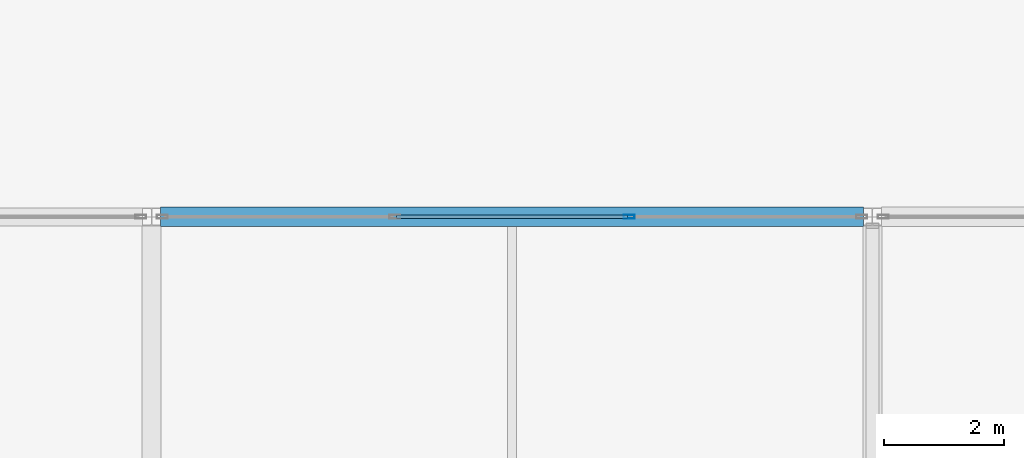
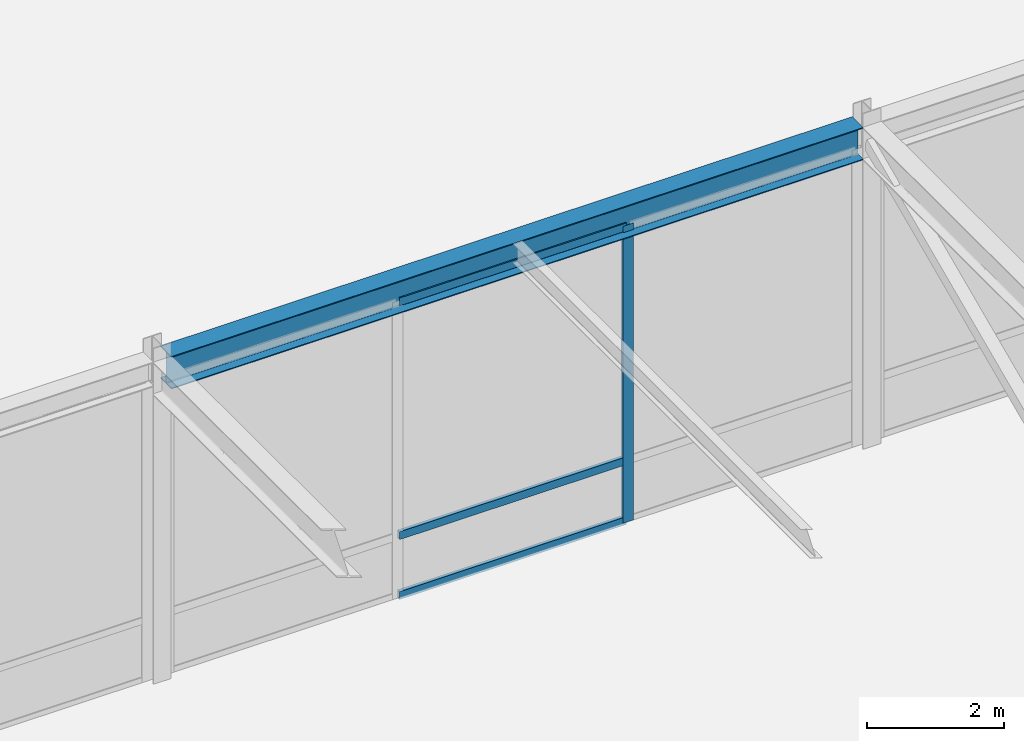
# One storey, part 31 of 108: 4 members, 1 beam, 1 element without a shape of its own.
"""IFC4 building model written with IfcOpenShell, lengths in metres."""

from ifc_helpers import new_model, si_unit, direction, frame, origin, origin_2d, place, context, subcontext, project, spatial, hollow_rectangle, i_section, extrude, material, layer, layer_set, material_profile, profile_set, type_object, element, aggregate, save


model = new_model("IFC4")

# Units and contexts
model_context = context("Model", 3, precision=1e-05, world=origin(), true_north=direction((0.0, 1.0)))
body_context = subcontext(model_context, "Body", "Model", "MODEL_VIEW")
ifc_project = project(units=[si_unit("LENGTHUNIT", "METRE"), si_unit("AREAUNIT", "SQUARE_METRE"), si_unit("VOLUMEUNIT", "CUBIC_METRE"), si_unit("PLANEANGLEUNIT", "RADIAN"), si_unit("MASSUNIT", "GRAM", prefix="KILO")], contexts=[model_context])

# Site, building, storey
site_placement = place(None, origin())
site = spatial("IfcSite", under=ifc_project, at=site_placement, CompositionType="ELEMENT")
building_placement = place(site_placement, origin())
building = spatial("IfcBuilding", under=site, at=building_placement, Name="Zlatovratsky Civic Hall", CompositionType="ELEMENT")
storey_placement = place(building_placement, frame((0.0, 0.0, 6.0)))
storey = spatial("IfcBuildingStorey", under=building, at=storey_placement, Name="L02", CompositionType="ELEMENT", Elevation=6.0)

# Beam
ifc_material_1 = material(Name="Steel S355", Category="steel")
ifc_material_profile_1 = material_profile(ifc_material_1, i_section(OverallWidth=0.320068359375, OverallDepth=0.58203125, WebThickness=0.011962890625, FlangeThickness=0.01708984375, FilletRadius=0.02392578125, at=origin_2d()), Name="60Sh1")
ifc_profile_set_1 = profile_set([ifc_material_profile_1], Name="Steel S355")
beam_type = type_object("IfcBeamType", Name="Beam_PodiumGirder_60Sh1", PredefinedType="BEAM", material=ifc_profile_set_1)
beam_placement = place(storey_placement, frame((24.14990234375, 30.0, 5.468994140625), z_axis=(1.0, 0.0, 0.0), x_axis=(0.0, 1.0, 0.0)))
element("IfcBeam", 1, at=beam_placement, inside=storey, type_object=beam_type, Name="BM-1786", PredefinedType="BEAM", context=body_context, shape_type="SweptSolid", body=[
    extrude(i_section(OverallWidth=0.320068359375, OverallDepth=0.58203125, WebThickness=0.011962890625, FlangeThickness=0.01708984375, FilletRadius=0.02392578125, at=origin_2d()), origin(), (0.0, 0.0, 1.0), 11.7001953125),
])

# Curtain wall, members
ifc_material_2 = material(Name="Anodised bronze aluminium", Category="aluminium")
ifc_layer = layer(ifc_material_2, 0.159912109375)
ifc_layer_set = layer_set([ifc_layer], Name="Anodised bronze aluminium")
curtain_wall_type = type_object("IfcCurtainWallType", Name="CurtainWall_Bronze_11700x5310_05", PredefinedType="NOTDEFINED", material=ifc_layer_set)
curtain_wall_placement = place(storey_placement, origin())
curtain_wall = element("IfcCurtainWall", 2, at=curtain_wall_placement, inside=storey, type_object=curtain_wall_type, Name="CW-010", PredefinedType="NOTDEFINED")
ifc_material_profile_2 = material_profile(ifc_material_2, hollow_rectangle(XDim=0.06005859375, YDim=0.179931640625, WallThickness=0.00390625, at=origin_2d()), Name="ALU 60x180x4")
ifc_profile_set_2 = profile_set([ifc_material_profile_2], Name="Anodised bronze aluminium")
member_type_1 = type_object("IfcMemberType", Name="CW_Mullion_60x180", PredefinedType="MULLION", material=ifc_profile_set_2)
member_1_placement = place(storey_placement, frame((31.949951171875, 30.0, 0.0), z_axis=(0.0, 0.0, 1.0), x_axis=(0.0, 1.0, 0.0)))
member_1 = element("IfcMember", 3, at=member_1_placement, type_object=member_type_1, Name="CW-05 mullion 3", PredefinedType="MULLION", context=body_context, shape_type="SweptSolid", body=[
    extrude(hollow_rectangle(XDim=0.06005859375, YDim=0.179931640625, WallThickness=0.00390625, at=origin_2d()), origin(), (0.0, 0.0, 1.0), 5.31005859375),
])
ifc_material_profile_3 = material_profile(ifc_material_2, hollow_rectangle(XDim=0.06005859375, YDim=0.139892578125, WallThickness=0.00390625, at=origin_2d()), Name="ALU 60x140x4")
ifc_profile_set_3 = profile_set([ifc_material_profile_3], Name="Anodised bronze aluminium")
member_type_2 = type_object("IfcMemberType", Name="CW_Transom_60x140", PredefinedType="USERDEFINED", material=ifc_profile_set_3)
member_2_placement = place(storey_placement, frame((28.080078125, 30.0, 0.030029296875), z_axis=(1.0, 0.0, 0.0), x_axis=(0.0, 1.0, 0.0)))
member_2 = element("IfcMember", 4, at=member_2_placement, type_object=member_type_2, Name="CW-05 transom 2.1", ObjectType="TRANSOM", PredefinedType="USERDEFINED", context=body_context, shape_type="SweptSolid", body=[
    extrude(hollow_rectangle(XDim=0.06005859375, YDim=0.139892578125, WallThickness=0.00390625, at=origin_2d()), origin(), (0.0, 0.0, 1.0), 3.83984375),
])
member_3_placement = place(storey_placement, frame((28.080078125, 30.0, 1.10009765625), z_axis=(1.0, 0.0, 0.0), x_axis=(0.0, 1.0, 0.0)))
member_3 = element("IfcMember", 5, at=member_3_placement, type_object=member_type_2, Name="CW-05 transom 2.2", ObjectType="TRANSOM", PredefinedType="USERDEFINED", context=body_context, shape_type="SweptSolid", body=[
    extrude(hollow_rectangle(XDim=0.06005859375, YDim=0.139892578125, WallThickness=0.00390625, at=origin_2d()), origin(), (0.0, 0.0, 1.0), 3.83984375),
])
member_4_placement = place(storey_placement, frame((28.080078125, 30.0, 5.280029296875), z_axis=(1.0, 0.0, 0.0), x_axis=(0.0, 1.0, 0.0)))
member_4 = element("IfcMember", 6, at=member_4_placement, type_object=member_type_2, Name="CW-05 transom 2.3", ObjectType="TRANSOM", PredefinedType="USERDEFINED", context=body_context, shape_type="SweptSolid", body=[
    extrude(hollow_rectangle(XDim=0.06005859375, YDim=0.139892578125, WallThickness=0.00390625, at=origin_2d()), origin(), (0.0, 0.0, 1.0), 3.83984375),
])
aggregate(curtain_wall, [member_1, member_2, member_3, member_4])

save(model, "model.ifc")
